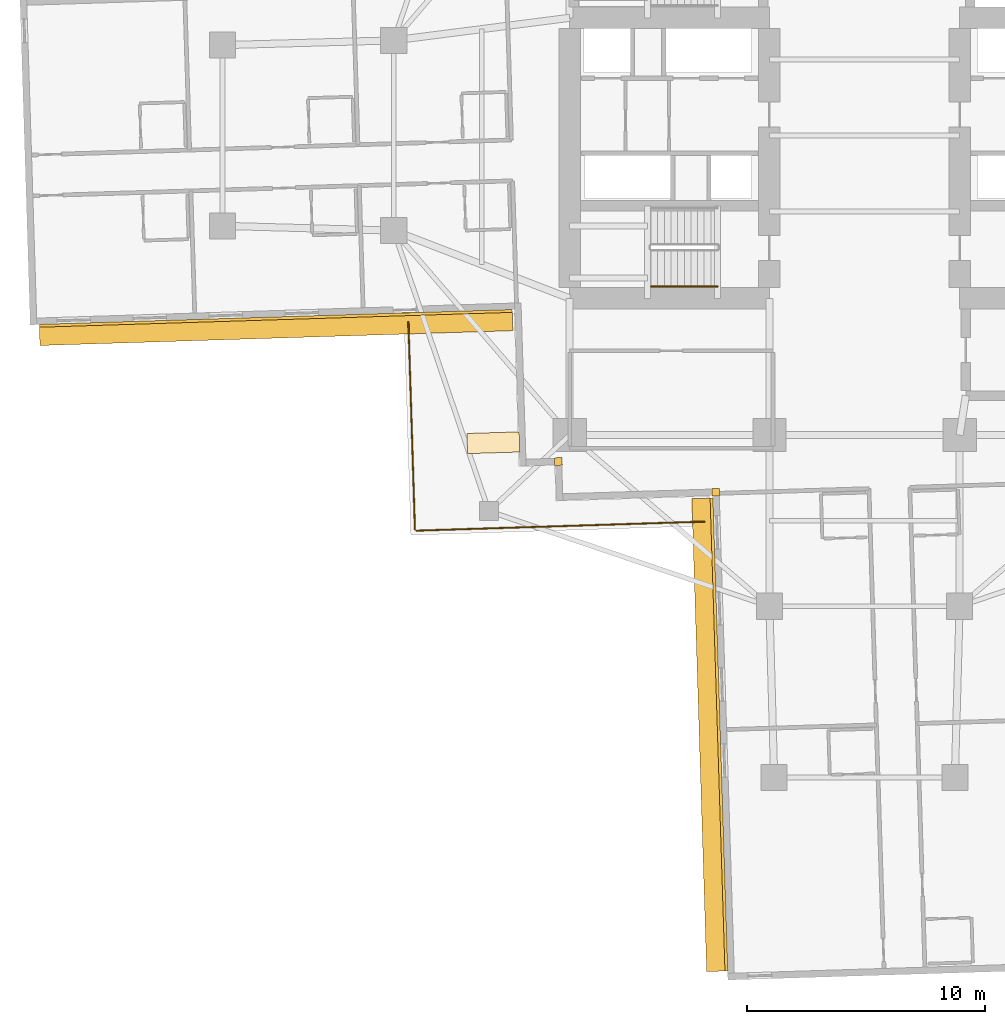
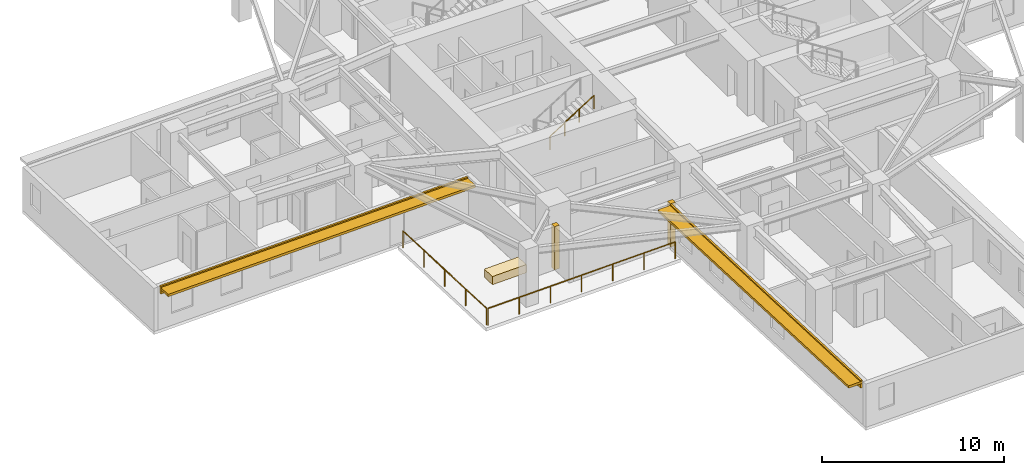
# One storey, part 10 of 14: 5 coverings, 3 railings, 2 shading devices.
"""IFC4 building model written with IfcOpenShell, lengths in metres."""

import ifcopenshell
import ifcopenshell.guid

model = None  # the IFC model being written
_history = None  # IfcOwnerHistory: only IFC2X3 demands one
_inside = {}  # id of a spatial element -> (the spatial element, [elements in it])
_under = {}  # id of a project, library or spatial element -> (it, [spatial elements below it])
_declared = {}  # id of a project -> (the project, [libraries it declares])
_typed = {}  # id of a type object -> (the type object, [elements of that type])
_made_of = {}  # id of a material, layer set ... -> (it, [elements and type objects made of it])


def new_model(schema):
    """Start an empty IFC model of exactly this schema.

    Asked for "IFC4X3", IfcOpenShell would pick the latest addendum, in which some entities
    have other attributes; the version numbers below select the first issue.
    IFC2X3 requires an IfcOwnerHistory on every rooted entity: one is made here for all.
    """
    global model, _history
    if schema == "IFC4X3":
        model = ifcopenshell.file(schema_version=(4, 3, 0, 0))
    else:
        model = ifcopenshell.file(schema=schema)
    _inside.clear()
    _under.clear()
    _declared.clear()
    _typed.clear()
    _made_of.clear()
    _history = None
    if model.schema == "IFC2X3":
        org = make("IfcOrganization", Name="unknown")
        user = make(
            "IfcPersonAndOrganization",
            ThePerson=make("IfcPerson", FamilyName="unknown"),
            TheOrganization=org,
        )
        app = make(
            "IfcApplication",
            ApplicationDeveloper=org,
            Version="unknown",
            ApplicationFullName="unknown",
            ApplicationIdentifier="unknown",
        )
        _history = make(
            "IfcOwnerHistory",
            OwningUser=user,
            OwningApplication=app,
            ChangeAction="ADDED",
            CreationDate=0,
        )
    return model


def make(cls, **values):
    """One entity of the class cls with the attributes given. An attribute that is None is left unset."""
    return model.create_entity(
        cls, **{name: value for name, value in values.items() if value is not None}
    )


def rooted(cls, **values):
    """An entity with a GlobalId (a new one), such as an element, a storey or a relation."""
    return make(cls, GlobalId=ifcopenshell.guid.new(), OwnerHistory=_history, **values)


def si_unit(unit_type, name, prefix=None):
    """IfcSIUnit, for example si_unit("LENGTHUNIT", "METRE", prefix="MILLI")."""
    return make("IfcSIUnit", UnitType=unit_type, Prefix=prefix, Name=name)


def assignment(units):
    """IfcUnitAssignment: the units of a project."""
    return None if units is None else make("IfcUnitAssignment", Units=units)


def point(xyz):
    """IfcCartesianPoint."""
    return None if xyz is None else make("IfcCartesianPoint", Coordinates=xyz)


def direction(xyz):
    """IfcDirection."""
    return None if xyz is None else make("IfcDirection", DirectionRatios=xyz)


def frame(location, z_axis=None, x_axis=None):
    """IfcAxis2Placement3D, a coordinate frame: its origin and axes. An axis left out is left unset."""
    return make(
        "IfcAxis2Placement3D",
        Location=point(location),
        Axis=direction(z_axis),
        RefDirection=direction(x_axis),
    )


def frame_2d(location, x_axis=None):
    """IfcAxis2Placement2D, a coordinate frame in the plane: its origin and x axis."""
    return make(
        "IfcAxis2Placement2D", Location=point(location), RefDirection=direction(x_axis)
    )


def origin():
    """The frame at (0, 0, 0) with its axes left unset."""
    return frame((0.0, 0.0, 0.0))


def origin_2d():
    """The frame at (0, 0) in the plane with its x axis left unset."""
    return frame_2d((0.0, 0.0))


def place(relative_to, where):
    """IfcLocalPlacement: puts the frame where relative to a parent placement (None: the world)."""
    return make(
        "IfcLocalPlacement", PlacementRelTo=relative_to, RelativePlacement=where
    )


def context(
    kind, dimensions, precision=None, world=None, true_north=None, identifier=None
):
    """IfcGeometricRepresentationContext, for example the 3D "Model" context."""
    return make(
        "IfcGeometricRepresentationContext",
        ContextIdentifier=identifier,
        ContextType=kind,
        CoordinateSpaceDimension=dimensions,
        Precision=precision,
        WorldCoordinateSystem=world,
        TrueNorth=true_north,
    )


def subcontext(parent, identifier, kind, view, scale=None):
    """IfcGeometricRepresentationSubContext, for example "Body" below "Model"."""
    return make(
        "IfcGeometricRepresentationSubContext",
        ContextIdentifier=identifier,
        ContextType=kind,
        ParentContext=parent,
        TargetScale=scale,
        TargetView=view,
    )


def project(units=None, contexts=None):
    """IfcProject with its units and contexts."""
    return rooted(
        "IfcProject",
        Name="project",
        RepresentationContexts=contexts,
        UnitsInContext=assignment(units),
    )


def spatial(cls, under=None, at=None, **own):
    """A site, building, storey or space (cls), placed at a placement, below another one or the project."""
    s = rooted(cls, ObjectPlacement=at, **own)
    if under is not None:
        _under.setdefault(under.id(), (under, []))[1].append(s)
    return s


def profile(cls, at=None, kind="AREA", **sizes):
    """A parametric profile (cls). Its sizes go by their IFC names, for example OverallWidth=200.0."""
    return make(cls, ProfileType=kind, Position=at, **sizes)


def rectangle(**sizes):
    """IfcRectangleProfileDef."""
    return profile("IfcRectangleProfileDef", **sizes)


def circle(**sizes):
    """IfcCircleProfileDef."""
    return profile("IfcCircleProfileDef", **sizes)


def extrude(swept, where, along, depth):
    """IfcExtrudedAreaSolid: the profile swept, set in the frame where, extruded along a direction by depth."""
    return make(
        "IfcExtrudedAreaSolid",
        SweptArea=swept,
        Position=where,
        ExtrudedDirection=direction(along),
        Depth=depth,
    )


def shape(context_of_items, identifier, shape_type, items):
    """IfcShapeRepresentation: the items that make up one representation, for example the "Body"."""
    return make(
        "IfcShapeRepresentation",
        ContextOfItems=context_of_items,
        RepresentationIdentifier=identifier,
        RepresentationType=shape_type,
        Items=items,
    )


def material(Name=None, Category=None):
    """IfcMaterial."""
    return make("IfcMaterial", Name=Name, Category=Category)


def layer(
    of_material, thickness, ventilated=None, Name=None, Category=None, Priority=None
):
    """IfcMaterialLayer: one layer of a wall or slab, of a material (None: an air gap)."""
    return make(
        "IfcMaterialLayer",
        Material=of_material,
        LayerThickness=thickness,
        IsVentilated=ventilated,
        Name=Name,
        Category=Category,
        Priority=Priority,
    )


def layer_set(layers, Name=None):
    """IfcMaterialLayerSet."""
    return make("IfcMaterialLayerSet", MaterialLayers=layers, LayerSetName=Name)


def made_of(thing, what):
    """Note that an element or type object is made of a material, layer set ...; save() writes the relation."""
    if what is not None:
        _made_of.setdefault(what.id(), (what, []))[1].append(thing)
    return thing


def type_object(cls, material=None, **own):
    """A type object (cls), such as IfcWallType, which elements share."""
    return made_of(rooted(cls, **own), material)


def element(
    cls,
    number,
    at=None,
    inside=None,
    cuts=None,
    type_object=None,
    material=None,
    context=None,
    identifier="Body",
    shape_type=None,
    held_by="IfcProductDefinitionShape",
    body=None,
    shapes=None,
    **own,
):
    """One element of the class cls, such as IfcWall. Its Tag is "e" and its number.

    at: its placement. inside: the storey or other place that contains it. cuts: it is an
    opening in that element (IfcRelVoidsElement). A single representation is given by context,
    identifier, shape_type and body (its items); several are given by shapes. held_by: the class
    of the entity that holds the representations. save() writes the other relations.
    """
    e = rooted(cls, Tag="e%d" % number, ObjectPlacement=at, **own)
    if body is not None:
        shapes = [shape(context, identifier, shape_type, body)]
    if shapes is not None:
        e.Representation = make(held_by, Representations=shapes)
    if inside is not None:
        _inside.setdefault(inside.id(), (inside, []))[1].append(e)
    if cuts is not None:
        rooted(
            "IfcRelVoidsElement", RelatingBuildingElement=cuts, RelatedOpeningElement=e
        )
    if type_object is not None:
        _typed.setdefault(type_object.id(), (type_object, []))[1].append(e)
    return made_of(e, material)


def aggregate(whole, parts):
    """IfcRelAggregates: a whole, such as a stair, and the parts it consists of."""
    return rooted("IfcRelAggregates", RelatingObject=whole, RelatedObjects=parts)


def save(model, path):
    """Write the relations noted so far, then the file.

    IfcRelAggregates (storeys below a building ...), IfcRelContainedInSpatialStructure (elements
    in a storey), IfcRelDefinesByType, IfcRelAssociatesMaterial and IfcRelDeclares: one each for
    every whole, place, type object, material and project.
    """
    for whole, parts in _under.values():
        aggregate(whole, parts)
    for where, things in _inside.values():
        rooted(
            "IfcRelContainedInSpatialStructure",
            RelatedElements=things,
            RelatingStructure=where,
        )
    for kind, things in _typed.values():
        rooted("IfcRelDefinesByType", RelatedObjects=things, RelatingType=kind)
    for what, things in _made_of.values():
        rooted("IfcRelAssociatesMaterial", RelatedObjects=things, RelatingMaterial=what)
    for by, libraries in _declared.values():
        rooted("IfcRelDeclares", RelatingContext=by, RelatedDefinitions=libraries)
    model.write(path)


model = new_model("IFC4")

# Units and contexts
model_context = context("Model", 3, precision=1e-05, world=origin(), true_north=direction((0.0, 1.0)))
body_context = subcontext(model_context, "Body", "Model", "MODEL_VIEW")
ifc_project = project(units=[si_unit("LENGTHUNIT", "METRE"), si_unit("AREAUNIT", "SQUARE_METRE"), si_unit("VOLUMEUNIT", "CUBIC_METRE"), si_unit("PLANEANGLEUNIT", "RADIAN"), si_unit("MASSUNIT", "GRAM", prefix="KILO")], contexts=[model_context])

# Site, building, storey
site_placement = place(None, origin())
site = spatial("IfcSite", under=ifc_project, at=site_placement, CompositionType="ELEMENT")
building_placement = place(site_placement, origin())
building = spatial("IfcBuilding", under=site, at=building_placement, Name="Qingluan Cross Belvedere", CompositionType="ELEMENT")
storey_placement = place(building_placement, frame((0.0, 0.0, 56.10009765625)))
storey = spatial("IfcBuildingStorey", under=building, at=storey_placement, Name="L14", CompositionType="ELEMENT", Elevation=56.10009765625)

# Coverings
ifc_material_1 = material(Name="Precast concrete C45", Category="concrete")
ifc_layer_1 = layer(ifc_material_1, 0.1201171875, Name="ConcreteSpandrelCladding_120")
ifc_layer_set_1 = layer_set([ifc_layer_1], Name="Precast concrete C45")
covering_type_1 = type_object("IfcCoveringType", Name="ConcreteSpandrelCladding_120", PredefinedType="CLADDING", material=ifc_layer_set_1)
for number, where, z_axis, x_axis, name in (
    (1, (-24.760498046875, -7.691650390625, 2.449951171875), (0.0, 0.0, 1.0), (0.999506649124, 0.031407934627, 0.0), "Spandrel cladding L14-WB"),
    (2, (-6.12158203125, -25.194580078125, 2.449951171875), (0.0, 0.0, 1.0), (0.031407934627, -0.999506649124, 0.0), "Spandrel cladding L14-SA"),
):
    element("IfcCovering", number, at=place(storey_placement, frame(where, z_axis=z_axis, x_axis=x_axis)), inside=storey, type_object=covering_type_1, Name=name, PredefinedType="CLADDING", context=body_context, shape_type="SweptSolid", body=[
        extrude(rectangle(XDim=19.89990234375, YDim=0.1201171875, at=origin_2d()), origin(), (0.0, 0.0, 1.0), 0.52001953125),
    ])
for number, where, z_axis, x_axis, name in (
    (3, (-12.875732421875, -13.711181640625, 0.0), (0.0, 0.0, 1.0), (0.999506560366, 0.031410759078, 0.0), "Corner closure L14-SW1"),
    (4, (-6.251708984375, -15.00390625, 0.0), (0.0, 0.0, 1.0), (0.999506560366, 0.031410759078, 0.0), "Corner closure L14-SW2"),
):
    element("IfcCovering", number, at=place(storey_placement, frame(where, z_axis=z_axis, x_axis=x_axis)), inside=storey, type_object=covering_type_1, Name=name, PredefinedType="CLADDING", context=body_context, shape_type="SweptSolid", body=[
        extrude(rectangle(XDim=0.320068359375, YDim=0.320068359375, at=origin_2d()), origin(), (0.0, 0.0, 1.0), 2.909912109375),
    ])

# Shading devices
ifc_material_2 = material(Name="Precast concrete C45", Category="concrete")
ifc_layer_2 = layer(ifc_material_2, 0.159912109375, Name="ConcreteSunshadeBand_900")
ifc_layer_set_2 = layer_set([ifc_layer_2], Name="Precast concrete C45")
shading_device_type = type_object("IfcShadingDeviceType", Name="ConcreteSunshadeBand_900", PredefinedType="USERDEFINED", material=ifc_layer_set_2)
for number, where, z_axis, x_axis, name in (
    (5, (-24.74853515625, -8.0712890625, 2.72998046875), (0.0, 0.0, 1.0), (0.999506649124, 0.031407934627, 0.0), "Concrete SUNSHADE L14-WB"),
    (6, (-6.50146484375, -25.206787109375, 2.72998046875), (0.0, 0.0, 1.0), (0.031407934627, -0.999506649124, 0.0), "Concrete SUNSHADE L14-SA"),
):
    element("IfcShadingDevice", number, at=place(storey_placement, frame(where, z_axis=z_axis, x_axis=x_axis)), inside=storey, type_object=shading_device_type, Name=name, ObjectType="SUNSHADE", PredefinedType="USERDEFINED", context=body_context, shape_type="SweptSolid", body=[
        extrude(rectangle(XDim=19.89990234375, YDim=0.89990234375, at=origin_2d()), origin(), (0.0, 0.0, 1.0), 0.159912109375),
    ])

# Railings
ifc_material_3 = material(Name="Brushed stainless steel tubular handrail", Category="steel")
railing_type_1 = type_object("IfcRailingType", Name="StairPitchHandrail_900", PredefinedType="HANDRAIL", material=ifc_material_3)
railing_1_placement = place(storey_placement, frame((-8.97998046875, -6.35009765625, 2.127197265625)))
element("IfcRailing", 7, at=railing_1_placement, inside=storey, type_object=railing_type_1, Name="L14 ST1 stair handrail 2", PredefinedType="HANDRAIL", context=body_context, shape_type="SweptSolid", body=[
    extrude(circle(Radius=0.02392578125, at=origin_2d()), frame((0.0, 0.0, 0.8759765625), z_axis=(0.844908973607, 0.0, 0.534910110503), x_axis=(0.0, 1.0, 0.0)), (0.0, 0.0, 1.0), 3.31396484375),
    extrude(circle(Radius=0.02099609375, at=origin_2d()), origin(), (0.0, 0.0, 1.0), 0.851806640625),
    extrude(circle(Radius=0.02099609375, at=origin_2d()), frame((0.933349609375, 0.0, 0.5908203125)), (0.0, 0.0, 1.0), 0.851806640625),
    extrude(circle(Radius=0.02099609375, at=origin_2d()), frame((1.86669921875, 0.0, 1.181884765625)), (0.0, 0.0, 1.0), 0.851806640625),
    extrude(circle(Radius=0.02099609375, at=origin_2d()), frame((2.800048828125, 0.0, 1.772705078125)), (0.0, 0.0, 1.0), 0.851806640625),
])
ifc_material_4 = material(Name="Laminated glass and stainless steel balustrade", Category="steel")
railing_type_2 = type_object("IfcRailingType", Name="TerraceGuardBalustrade_1150", PredefinedType="BALUSTRADE", material=ifc_material_4)
railing_2_placement = place(storey_placement, frame((-6.733154296875, -16.239501953125, 0.0)))
element("IfcRailing", 8, at=railing_2_placement, inside=storey, type_object=railing_type_2, Name="Terrace guard L14-1", PredefinedType="BALUSTRADE", context=body_context, shape_type="SweptSolid", body=[
    extrude(circle(Radius=0.02392578125, at=origin_2d()), frame((0.0, 0.0, 1.1259765625), z_axis=(-0.999506795162, -0.031403286853, 0.0), x_axis=(0.031403286853, -0.999506795162, 0.0)), (0.0, 0.0, 1.0), 12.1201171875),
    extrude(circle(Radius=0.02099609375, at=origin_2d()), origin(), (0.0, 0.0, 1.0), 1.101806640625),
    extrude(circle(Radius=0.02099609375, at=origin_2d()), frame((-2.01904296875, -0.0634765625, 0.0)), (0.0, 0.0, 1.0), 1.101806640625),
    extrude(circle(Radius=0.02099609375, at=origin_2d()), frame((-4.0380859375, -0.126953125, 0.0)), (0.0, 0.0, 1.0), 1.101806640625),
    extrude(circle(Radius=0.02099609375, at=origin_2d()), frame((-6.05712890625, -0.1904296875, 0.0)), (0.0, 0.0, 1.0), 1.101806640625),
    extrude(circle(Radius=0.02099609375, at=origin_2d()), frame((-8.076171875, -0.253662109375, 0.0)), (0.0, 0.0, 1.0), 1.101806640625),
    extrude(circle(Radius=0.02099609375, at=origin_2d()), frame((-10.09521484375, -0.317138671875, 0.0)), (0.0, 0.0, 1.0), 1.101806640625),
    extrude(circle(Radius=0.02099609375, at=origin_2d()), frame((-12.1142578125, -0.380615234375, 0.0)), (0.0, 0.0, 1.0), 1.101806640625),
])
railing_3_placement = place(storey_placement, frame((-18.9091796875, -16.562255859375, 0.0)))
element("IfcRailing", 9, at=railing_3_placement, inside=storey, type_object=railing_type_2, Name="Terrace guard L14-2", PredefinedType="BALUSTRADE", context=body_context, shape_type="SweptSolid", body=[
    extrude(circle(Radius=0.02392578125, at=origin_2d()), frame((0.0, 0.0, 1.1259765625), z_axis=(-0.031413061052, 0.999506488021, 0.0), x_axis=(-0.999506488021, -0.031413061052, 0.0)), (0.0, 0.0, 1.0), 8.72021484375),
    extrude(circle(Radius=0.02099609375, at=origin_2d()), origin(), (0.0, 0.0, 1.0), 1.101806640625),
    extrude(circle(Radius=0.02099609375, at=origin_2d()), frame((-0.068359375, 2.178955078125, 0.0)), (0.0, 0.0, 1.0), 1.101806640625),
    extrude(circle(Radius=0.02099609375, at=origin_2d()), frame((-0.136962890625, 4.35791015625, 0.0)), (0.0, 0.0, 1.0), 1.101806640625),
    extrude(circle(Radius=0.02099609375, at=origin_2d()), frame((-0.20556640625, 6.536865234375, 0.0)), (0.0, 0.0, 1.0), 1.101806640625),
    extrude(circle(Radius=0.02099609375, at=origin_2d()), frame((-0.27392578125, 8.7158203125, 0.0)), (0.0, 0.0, 1.0), 1.101806640625),
])

# Covering
ifc_material_5 = material(Name="Precast concrete C40", Category="concrete")
ifc_layer_3 = layer(ifc_material_5, 0.550048828125, Name="TerracePlanterBox")
ifc_layer_set_3 = layer_set([ifc_layer_3], Name="Precast concrete C40")
covering_type_2 = type_object("IfcCoveringType", Name="TerracePlanterBox", PredefinedType="USERDEFINED", material=ifc_layer_set_3)
covering_placement = place(storey_placement, frame((-15.611083984375, -12.922119140625, 0.0), z_axis=(0.0, 0.0, 1.0), x_axis=(0.999506560366, 0.031410759078, 0.0)))
element("IfcCovering", 10, at=covering_placement, inside=storey, type_object=covering_type_2, Name="Spiralling winter-garden planter L14", ObjectType="PLANTER", PredefinedType="USERDEFINED", context=body_context, shape_type="SweptSolid", body=[
    extrude(rectangle(XDim=2.199951171875, YDim=0.85009765625, at=origin_2d()), origin(), (0.0, 0.0, 1.0), 0.550048828125),
])

save(model, "model.ifc")
